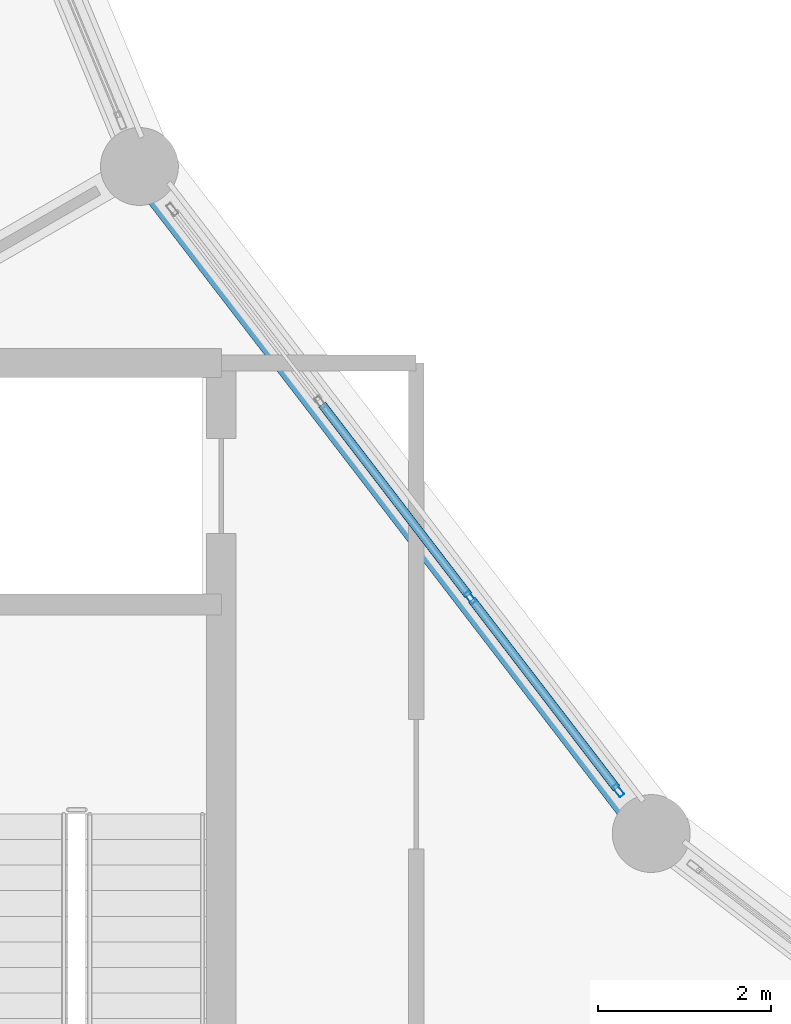
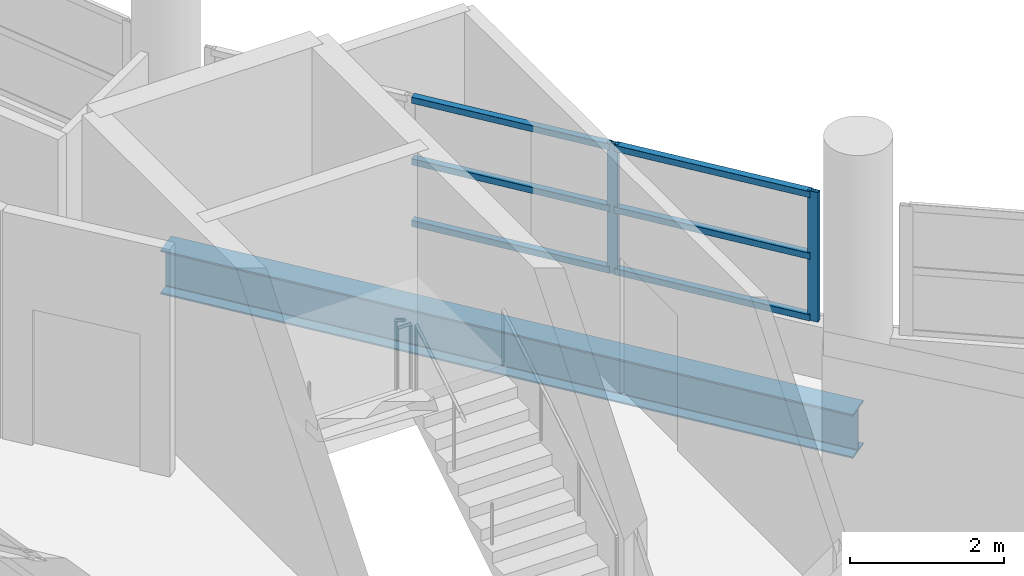
# One storey, part 30 of 108: 8 members, 1 beam, 1 element without a shape of its own.
"""IFC4 building model written with IfcOpenShell, lengths in metres."""

from ifc_helpers import new_model, si_unit, direction, frame, origin, origin_2d, place, context, subcontext, project, spatial, hollow_rectangle, i_section, extrude, material, layer, layer_set, material_profile, profile_set, type_object, element, aggregate, save


model = new_model("IFC4")

# Units and contexts
model_context = context("Model", 3, precision=1e-05, world=origin(), true_north=direction((0.0, 1.0)))
body_context = subcontext(model_context, "Body", "Model", "MODEL_VIEW")
ifc_project = project(units=[si_unit("LENGTHUNIT", "METRE"), si_unit("AREAUNIT", "SQUARE_METRE"), si_unit("VOLUMEUNIT", "CUBIC_METRE"), si_unit("PLANEANGLEUNIT", "RADIAN"), si_unit("MASSUNIT", "GRAM", prefix="KILO")], contexts=[model_context])

# Site, building, storey
site_placement = place(None, origin())
site = spatial("IfcSite", under=ifc_project, at=site_placement, CompositionType="ELEMENT")
building_placement = place(site_placement, origin())
building = spatial("IfcBuilding", under=site, at=building_placement, Name="Vespera Passage Community Centre", CompositionType="ELEMENT")
storey_placement = place(building_placement, frame((0.0, 0.0, 12.60009765625)))
storey = spatial("IfcBuildingStorey", under=building, at=storey_placement, Name="L03", CompositionType="ELEMENT", Elevation=12.60009765625)

# Beam
ifc_material_1 = material(Name="Steel ASTM A992 Grade 50", Category="steel")
ifc_material_profile_1 = material_profile(ifc_material_1, i_section(OverallWidth=0.3544921875, OverallDepth=0.695556640625, WebThickness=0.015380859375, FlangeThickness=0.024658203125, FilletRadius=0.01513671875, at=origin_2d()), Name="W27X146")
ifc_profile_set_1 = profile_set([ifc_material_profile_1], Name="Steel ASTM A992 Grade 50")
beam_type = type_object("IfcBeamType", Name="BM-SP-W27X146E", PredefinedType="SPANDREL", material=ifc_profile_set_1)
beam_placement = place(storey_placement, frame((45.783935546875, 46.89990234375, -0.747802734375), z_axis=(0.60875291963, -0.793359869694, 0.0), x_axis=(0.793359869694, 0.60875291963, 0.0)))
element("IfcBeam", 1, at=beam_placement, inside=storey, type_object=beam_type, Name="V4 L03 Inner Spandrel 14", PredefinedType="SPANDREL", context=body_context, shape_type="SweptSolid", body=[
    extrude(i_section(OverallWidth=0.3544921875, OverallDepth=0.695556640625, WebThickness=0.015380859375, FlangeThickness=0.024658203125, FilletRadius=0.01513671875, at=origin_2d()), origin(), (0.0, 0.0, 1.0), 9.7109375),
])

# Curtain wall, members
ifc_material_2 = material(Name="Anodized aluminium 6063-T6", Category="aluminium")
ifc_layer = layer(ifc_material_2, 0.159912109375)
ifc_layer_set = layer_set([ifc_layer], Name="Anodized aluminium 6063-T6")
curtain_wall_type = type_object("IfcCurtainWallType", Name="CW-45E", PredefinedType="NOTDEFINED", material=ifc_layer_set)
curtain_wall_placement = place(storey_placement, origin())
curtain_wall = element("IfcCurtainWall", 2, at=curtain_wall_placement, inside=storey, type_object=curtain_wall_type, Name="V4 L03 Inner Court Curtain Wall 14", PredefinedType="NOTDEFINED")
ifc_material_3 = material(Name="Anodized aluminium 6063-T6", Category="aluminium")
ifc_material_profile_2 = material_profile(ifc_material_3, hollow_rectangle(XDim=0.06494140625, YDim=0.14990234375, WallThickness=0.00390625, InnerFilletRadius=0.001953125, OuterFilletRadius=0.00390625, at=origin_2d()), Name="ALU150X65X4")
ifc_profile_set_2 = profile_set([ifc_material_profile_2], Name="Anodized aluminium 6063-T6")
member_type_1 = type_object("IfcMemberType", Name="MB-CWM-150E", PredefinedType="MULLION", material=ifc_profile_set_2)
member_1_placement = place(storey_placement, frame((49.604736328125, 41.920654296875, 0.81982421875), z_axis=(0.0, 0.0, 1.0), x_axis=(0.793358205999, 0.608755087843, 0.0)))
member_1 = element("IfcMember", 3, at=member_1_placement, type_object=member_type_1, Name="CW-45E mullion 3", PredefinedType="MULLION", context=body_context, shape_type="SweptSolid", body=[
    extrude(hollow_rectangle(XDim=0.06494140625, YDim=0.14990234375, WallThickness=0.00390625, InnerFilletRadius=0.001953125, OuterFilletRadius=0.00390625, at=origin_2d()), origin(), (0.0, 0.0, 1.0), 2.049560546875),
])
member_2_placement = place(storey_placement, frame((51.314697265625, 39.69189453125, 0.81982421875), z_axis=(0.0, 0.0, 1.0), x_axis=(0.793358205999, 0.608755087843, 0.0)))
member_2 = element("IfcMember", 4, at=member_2_placement, type_object=member_type_1, Name="CW-45E mullion 4", PredefinedType="MULLION", context=body_context, shape_type="SweptSolid", body=[
    extrude(hollow_rectangle(XDim=0.06494140625, YDim=0.14990234375, WallThickness=0.00390625, InnerFilletRadius=0.001953125, OuterFilletRadius=0.00390625, at=origin_2d()), origin(), (0.0, 0.0, 1.0), 2.049560546875),
])
ifc_material_4 = material(Name="Anodized aluminium 6063-T6", Category="aluminium")
ifc_material_profile_3 = material_profile(ifc_material_4, hollow_rectangle(XDim=0.10009765625, YDim=0.10009765625, WallThickness=0.00390625, InnerFilletRadius=0.001953125, OuterFilletRadius=0.00390625, at=origin_2d()), Name="ALU100X100X4")
ifc_profile_set_3 = profile_set([ifc_material_profile_3], Name="Anodized aluminium 6063-T6")
member_type_2 = type_object("IfcMemberType", Name="MB-CWT-100E", PredefinedType="USERDEFINED", material=ifc_profile_set_3)
member_3_placement = place(storey_placement, frame((47.89453125, 44.149169921875, 0.869873046875), z_axis=(0.60878404001, -0.793335989748, 0.0), x_axis=(0.793335989748, 0.60878404001, 0.0)))
member_3 = element("IfcMember", 5, at=member_3_placement, type_object=member_type_2, Name="CW-45E transom 2.1", ObjectType="TRANSOM", PredefinedType="USERDEFINED", context=body_context, shape_type="SweptSolid", body=[
    extrude(hollow_rectangle(XDim=0.10009765625, YDim=0.10009765625, WallThickness=0.00390625, InnerFilletRadius=0.001953125, OuterFilletRadius=0.00390625, at=origin_2d()), origin(), (0.0, 0.0, 1.0), 2.776611328125),
])
member_4_placement = place(storey_placement, frame((47.89453125, 44.149169921875, 1.844482421875), z_axis=(0.60878404001, -0.793335989748, 0.0), x_axis=(0.793335989748, 0.60878404001, 0.0)))
member_4 = element("IfcMember", 6, at=member_4_placement, type_object=member_type_2, Name="CW-45E transom 2.2", ObjectType="TRANSOM", PredefinedType="USERDEFINED", context=body_context, shape_type="SweptSolid", body=[
    extrude(hollow_rectangle(XDim=0.10009765625, YDim=0.10009765625, WallThickness=0.00390625, InnerFilletRadius=0.001953125, OuterFilletRadius=0.00390625, at=origin_2d()), origin(), (0.0, 0.0, 1.0), 2.776611328125),
])
member_5_placement = place(storey_placement, frame((47.89453125, 44.149169921875, 2.8193359375), z_axis=(0.60878404001, -0.793335989748, 0.0), x_axis=(0.793335989748, 0.60878404001, 0.0)))
member_5 = element("IfcMember", 7, at=member_5_placement, type_object=member_type_2, Name="CW-45E transom 2.3", ObjectType="TRANSOM", PredefinedType="USERDEFINED", context=body_context, shape_type="SweptSolid", body=[
    extrude(hollow_rectangle(XDim=0.10009765625, YDim=0.10009765625, WallThickness=0.00390625, InnerFilletRadius=0.001953125, OuterFilletRadius=0.00390625, at=origin_2d()), origin(), (0.0, 0.0, 1.0), 2.776611328125),
])
member_6_placement = place(storey_placement, frame((49.62451171875, 41.894775390625, 0.869873046875), z_axis=(0.608747162837, -0.793364286906, 0.0), x_axis=(0.793364286906, 0.608747162837, 0.0)))
member_6 = element("IfcMember", 8, at=member_6_placement, type_object=member_type_2, Name="CW-45E transom 3.1", ObjectType="TRANSOM", PredefinedType="USERDEFINED", context=body_context, shape_type="SweptSolid", body=[
    extrude(hollow_rectangle(XDim=0.10009765625, YDim=0.10009765625, WallThickness=0.00390625, InnerFilletRadius=0.001953125, OuterFilletRadius=0.00390625, at=origin_2d()), origin(), (0.0, 0.0, 1.0), 2.743896484375),
])
member_7_placement = place(storey_placement, frame((49.62451171875, 41.894775390625, 1.844482421875), z_axis=(0.608747162837, -0.793364286906, 0.0), x_axis=(0.793364286906, 0.608747162837, 0.0)))
member_7 = element("IfcMember", 9, at=member_7_placement, type_object=member_type_2, Name="CW-45E transom 3.2", ObjectType="TRANSOM", PredefinedType="USERDEFINED", context=body_context, shape_type="SweptSolid", body=[
    extrude(hollow_rectangle(XDim=0.10009765625, YDim=0.10009765625, WallThickness=0.00390625, InnerFilletRadius=0.001953125, OuterFilletRadius=0.00390625, at=origin_2d()), origin(), (0.0, 0.0, 1.0), 2.743896484375),
])
member_8_placement = place(storey_placement, frame((49.62451171875, 41.894775390625, 2.8193359375), z_axis=(0.608747162837, -0.793364286906, 0.0), x_axis=(0.793364286906, 0.608747162837, 0.0)))
member_8 = element("IfcMember", 10, at=member_8_placement, type_object=member_type_2, Name="CW-45E transom 3.3", ObjectType="TRANSOM", PredefinedType="USERDEFINED", context=body_context, shape_type="SweptSolid", body=[
    extrude(hollow_rectangle(XDim=0.10009765625, YDim=0.10009765625, WallThickness=0.00390625, InnerFilletRadius=0.001953125, OuterFilletRadius=0.00390625, at=origin_2d()), origin(), (0.0, 0.0, 1.0), 2.743896484375),
])
aggregate(curtain_wall, [member_1, member_2, member_3, member_4, member_5, member_6, member_7, member_8])

save(model, "model.ifc")
